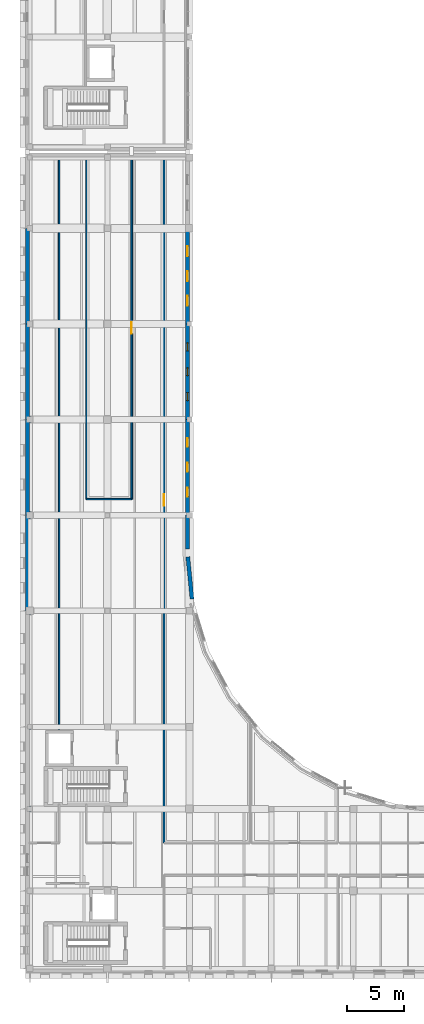
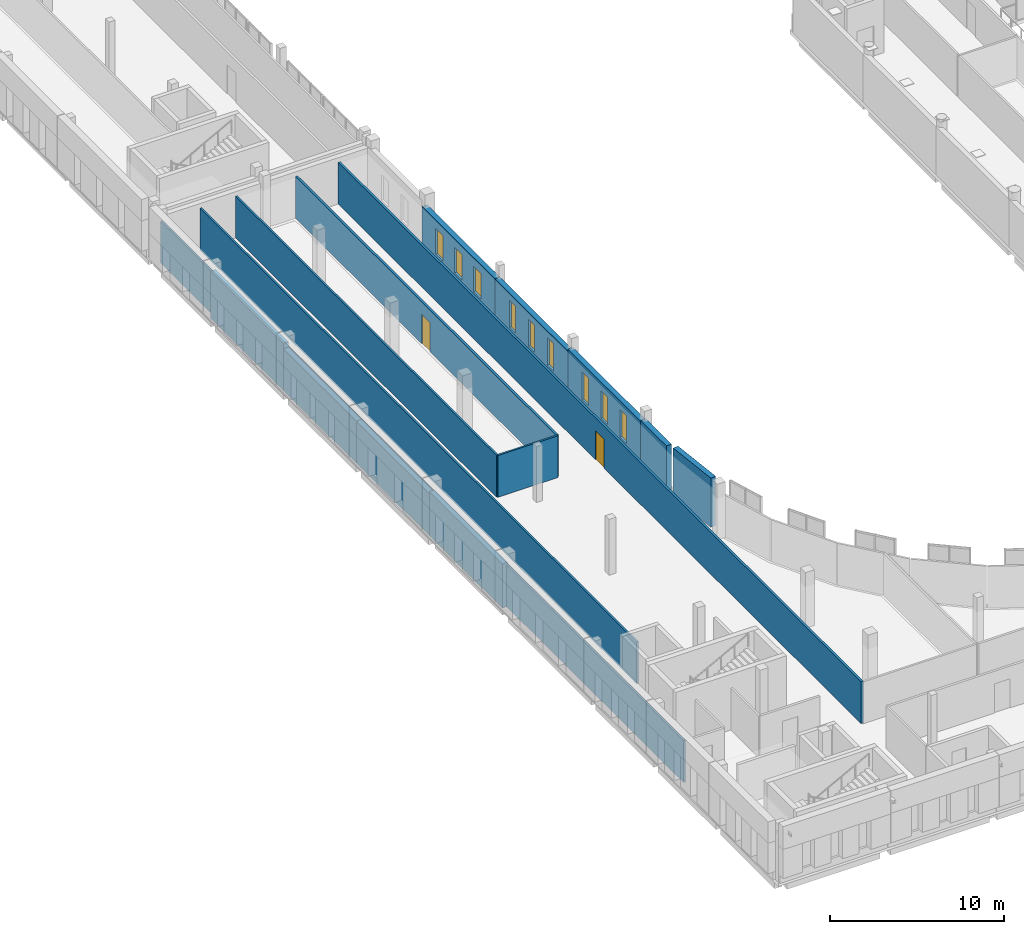
# One storey, part 52 of 76: 15 walls, 9 windows, 2 doors, 11 openings.
"""IFC4 building model written with IfcOpenShell, lengths in metres."""

from ifc_helpers import new_model, si_unit, direction, frame, frame_2d, origin, place, context, subcontext, project, spatial, rectangle, extrude, material, layer, layer_set, type_object, element, fill, save


model = new_model("IFC4")

# Units and contexts
model_context = context("Model", 3, precision=1e-05, world=origin(), true_north=direction((0.0, 1.0)))
body_context = subcontext(model_context, "Body", "Model", "MODEL_VIEW")
ifc_project = project(units=[si_unit("LENGTHUNIT", "METRE"), si_unit("AREAUNIT", "SQUARE_METRE"), si_unit("VOLUMEUNIT", "CUBIC_METRE"), si_unit("PLANEANGLEUNIT", "RADIAN"), si_unit("MASSUNIT", "GRAM", prefix="KILO")], contexts=[model_context])

# Site, building, storey
site_placement = place(None, origin())
site = spatial("IfcSite", under=ifc_project, at=site_placement, CompositionType="ELEMENT")
building_placement = place(site_placement, origin())
building = spatial("IfcBuilding", under=site, at=building_placement, Name="Vardoun Plaza Health Centre", CompositionType="ELEMENT")
storey_placement = place(building_placement, frame((0.0, 0.0, 4.5)))
storey = spatial("IfcBuildingStorey", under=building, at=storey_placement, Name="L01", CompositionType="ELEMENT", Elevation=4.5)

# Wall, openings, windows
ifc_material_1 = material(Name="Pale Limestone Concrete C35/45", Category="masonry")
ifc_layer_1 = layer(ifc_material_1, 0.344970703125)
ifc_layer_set_1 = layer_set([ifc_layer_1], Name="Pale Limestone Concrete C35/45")
wall_type_1 = type_object("IfcWallType", Name="EW-01", PredefinedType="SOLIDWALL", material=ifc_layer_set_1)
wall_1_placement = place(storey_placement, frame((18.7275390625, 69.89990234375, 0.0), z_axis=(0.0, 0.0, 1.0), x_axis=(0.0, -1.0, 0.0)))
wall_1 = element("IfcWall", 1, at=wall_1_placement, inside=storey, type_object=wall_type_1, Name="V2 L01 Exterior Wall EW-V2-102", PredefinedType="SOLIDWALL", context=body_context, shape_type="SweptSolid", body=[
    extrude(rectangle(XDim=8.39990234375, YDim=0.344970703125, at=frame_2d((4.199951171875, 0.0))), origin(), (0.0, 0.0, 1.0), 2.955078125),
])
opening_1_placement = place(wall_1_placement, frame((1.575927734375, 0.0, 0.550048828125)))
opening_1 = element("IfcOpeningElement", 2, at=opening_1_placement, cuts=wall_1, Name="Opening W-28-001", PredefinedType="OPENING", context=body_context, shape_type="SweptSolid", body=[
    extrude(rectangle(XDim=0.8798828125, YDim=1.800048828125, at=frame_2d((0.43994140625, 0.89990234375))), frame((0.0, 0.17236328125, 0.0), z_axis=(0.0, -1.0, 0.0), x_axis=(1.0, 0.0, 0.0)), (0.0, 0.0, 1.0), 0.344970703125),
])
opening_2_placement = place(wall_1_placement, frame((3.760009765625, 0.0, 0.550048828125)))
opening_2 = element("IfcOpeningElement", 3, at=opening_2_placement, cuts=wall_1, Name="Opening W-28-002", PredefinedType="OPENING", context=body_context, shape_type="SweptSolid", body=[
    extrude(rectangle(XDim=0.8798828125, YDim=1.800048828125, at=frame_2d((0.43994140625, 0.89990234375))), frame((0.0, 0.17236328125, 0.0), z_axis=(0.0, -1.0, 0.0), x_axis=(1.0, 0.0, 0.0)), (0.0, 0.0, 1.0), 0.344970703125),
])
opening_3_placement = place(wall_1_placement, frame((5.944091796875, 0.0, 0.550048828125)))
opening_3 = element("IfcOpeningElement", 4, at=opening_3_placement, cuts=wall_1, Name="Opening W-28-003", PredefinedType="OPENING", context=body_context, shape_type="SweptSolid", body=[
    extrude(rectangle(XDim=0.8798828125, YDim=1.800048828125, at=frame_2d((0.43994140625, 0.89990234375))), frame((0.0, 0.17236328125, 0.0), z_axis=(0.0, -1.0, 0.0), x_axis=(1.0, 0.0, 0.0)), (0.0, 0.0, 1.0), 0.344970703125),
])
ifc_material_2 = material(Name="Aluminium Alloy EN AW-6063-T6 and Low-E Glass", Category="aluminium")
window_type_1 = type_object("IfcWindowType", Name="W-28", PartitioningType="SINGLE_PANEL", PredefinedType="WINDOW", material=ifc_material_2)
window_1_placement = place(opening_1_placement, origin())
window_1 = element("IfcWindow", 5, at=window_1_placement, inside=storey, type_object=window_type_1, Name="V2 L01 Deep-Punched Slot Window W-28-054", OverallHeight=1.800048828125, OverallWidth=0.8798828125, PartitioningType="SINGLE_PANEL", PredefinedType="WINDOW", context=body_context, shape_type="SweptSolid", body=[
    extrude(rectangle(XDim=0.8798828125, YDim=1.800048828125, at=frame_2d((0.43994140625, 0.89990234375))), frame((0.0, 0.030029296875, 0.0), z_axis=(0.0, -1.0, 0.0), x_axis=(1.0, 0.0, 0.0)), (0.0, 0.0, 1.0), 0.06005859375),
])
fill(opening_1, window_1)
window_2_placement = place(opening_2_placement, origin())
window_2 = element("IfcWindow", 6, at=window_2_placement, inside=storey, type_object=window_type_1, Name="V2 L01 Deep-Punched Slot Window W-28-055", OverallHeight=1.800048828125, OverallWidth=0.8798828125, PartitioningType="SINGLE_PANEL", PredefinedType="WINDOW", context=body_context, shape_type="SweptSolid", body=[
    extrude(rectangle(XDim=0.8798828125, YDim=1.800048828125, at=frame_2d((0.43994140625, 0.89990234375))), frame((0.0, 0.030029296875, 0.0), z_axis=(0.0, -1.0, 0.0), x_axis=(1.0, 0.0, 0.0)), (0.0, 0.0, 1.0), 0.06005859375),
])
fill(opening_2, window_2)
window_3_placement = place(opening_3_placement, origin())
window_3 = element("IfcWindow", 7, at=window_3_placement, inside=storey, type_object=window_type_1, Name="V2 L01 Deep-Punched Slot Window W-28-056", OverallHeight=1.800048828125, OverallWidth=0.8798828125, PartitioningType="SINGLE_PANEL", PredefinedType="WINDOW", context=body_context, shape_type="SweptSolid", body=[
    extrude(rectangle(XDim=0.8798828125, YDim=1.800048828125, at=frame_2d((0.43994140625, 0.89990234375))), frame((0.0, 0.030029296875, 0.0), z_axis=(0.0, -1.0, 0.0), x_axis=(1.0, 0.0, 0.0)), (0.0, 0.0, 1.0), 0.06005859375),
])
fill(opening_3, window_3)

wall_2_placement = place(storey_placement, frame((18.7275390625, 61.5, 0.0), z_axis=(0.0, 0.0, 1.0), x_axis=(0.0, -1.0, 0.0)))
wall_2 = element("IfcWall", 8, at=wall_2_placement, inside=storey, type_object=wall_type_1, Name="V2 L01 Exterior Wall EW-V2-103", PredefinedType="SOLIDWALL", context=body_context, shape_type="SweptSolid", body=[
    extrude(rectangle(XDim=8.39990234375, YDim=0.344970703125, at=frame_2d((4.199951171875, 0.0))), origin(), (0.0, 0.0, 1.0), 2.955078125),
])
opening_4_placement = place(wall_2_placement, frame((1.666015625, 0.0, 0.550048828125)))
opening_4 = element("IfcOpeningElement", 9, at=opening_4_placement, cuts=wall_2, Name="Opening W-29-004", PredefinedType="OPENING", context=body_context, shape_type="SweptSolid", body=[
    extrude(rectangle(XDim=0.699951171875, YDim=1.919921875, at=frame_2d((0.35009765625, 0.9599609375))), frame((0.0, 0.17236328125, 0.0), z_axis=(0.0, -1.0, 0.0), x_axis=(1.0, 0.0, 0.0)), (0.0, 0.0, 1.0), 0.344970703125),
])
opening_5_placement = place(wall_2_placement, frame((3.85009765625, 0.0, 0.550048828125)))
opening_5 = element("IfcOpeningElement", 10, at=opening_5_placement, cuts=wall_2, Name="Opening W-29-005", PredefinedType="OPENING", context=body_context, shape_type="SweptSolid", body=[
    extrude(rectangle(XDim=0.699951171875, YDim=1.919921875, at=frame_2d((0.35009765625, 0.9599609375))), frame((0.0, 0.17236328125, 0.0), z_axis=(0.0, -1.0, 0.0), x_axis=(1.0, 0.0, 0.0)), (0.0, 0.0, 1.0), 0.344970703125),
])
opening_6_placement = place(wall_2_placement, frame((6.033935546875, 0.0, 0.550048828125)))
opening_6 = element("IfcOpeningElement", 11, at=opening_6_placement, cuts=wall_2, Name="Opening W-29-006", PredefinedType="OPENING", context=body_context, shape_type="SweptSolid", body=[
    extrude(rectangle(XDim=0.699951171875, YDim=1.919921875, at=frame_2d((0.35009765625, 0.9599609375))), frame((0.0, 0.17236328125, 0.0), z_axis=(0.0, -1.0, 0.0), x_axis=(1.0, 0.0, 0.0)), (0.0, 0.0, 1.0), 0.344970703125),
])
ifc_material_3 = material(Name="Aluminium Alloy EN AW-6063-T6 and Low-E Glass", Category="aluminium")
window_type_2 = type_object("IfcWindowType", Name="W-29", PartitioningType="SINGLE_PANEL", PredefinedType="WINDOW", material=ifc_material_3)
window_4_placement = place(opening_4_placement, origin())
window_4 = element("IfcWindow", 12, at=window_4_placement, inside=storey, type_object=window_type_2, Name="V2 L01 Deep-Punched Slot Window W-29-057", OverallHeight=1.919921875, OverallWidth=0.699951171875, PartitioningType="SINGLE_PANEL", PredefinedType="WINDOW", context=body_context, shape_type="SweptSolid", body=[
    extrude(rectangle(XDim=0.699951171875, YDim=1.919921875, at=frame_2d((0.35009765625, 0.9599609375))), frame((0.0, 0.030029296875, 0.0), z_axis=(0.0, -1.0, 0.0), x_axis=(1.0, 0.0, 0.0)), (0.0, 0.0, 1.0), 0.06005859375),
])
fill(opening_4, window_4)
window_5_placement = place(opening_5_placement, origin())
window_5 = element("IfcWindow", 13, at=window_5_placement, inside=storey, type_object=window_type_2, Name="V2 L01 Deep-Punched Slot Window W-29-058", OverallHeight=1.919921875, OverallWidth=0.699951171875, PartitioningType="SINGLE_PANEL", PredefinedType="WINDOW", context=body_context, shape_type="SweptSolid", body=[
    extrude(rectangle(XDim=0.699951171875, YDim=1.919921875, at=frame_2d((0.35009765625, 0.9599609375))), frame((0.0, 0.030029296875, 0.0), z_axis=(0.0, -1.0, 0.0), x_axis=(1.0, 0.0, 0.0)), (0.0, 0.0, 1.0), 0.06005859375),
])
fill(opening_5, window_5)
window_6_placement = place(opening_6_placement, origin())
window_6 = element("IfcWindow", 14, at=window_6_placement, inside=storey, type_object=window_type_2, Name="V2 L01 Deep-Punched Slot Window W-29-059", OverallHeight=1.919921875, OverallWidth=0.699951171875, PartitioningType="SINGLE_PANEL", PredefinedType="WINDOW", context=body_context, shape_type="SweptSolid", body=[
    extrude(rectangle(XDim=0.699951171875, YDim=1.919921875, at=frame_2d((0.35009765625, 0.9599609375))), frame((0.0, 0.030029296875, 0.0), z_axis=(0.0, -1.0, 0.0), x_axis=(1.0, 0.0, 0.0)), (0.0, 0.0, 1.0), 0.06005859375),
])
fill(opening_6, window_6)

wall_3_placement = place(storey_placement, frame((18.7275390625, 53.10009765625, 0.0), z_axis=(0.0, 0.0, 1.0), x_axis=(0.0, -1.0, 0.0)))
wall_3 = element("IfcWall", 15, at=wall_3_placement, inside=storey, type_object=wall_type_1, Name="V2 L01 Exterior Wall EW-V2-104", PredefinedType="SOLIDWALL", context=body_context, shape_type="SweptSolid", body=[
    extrude(rectangle(XDim=8.400146484375, YDim=0.344970703125, at=frame_2d((4.2001953125, 0.0))), origin(), (0.0, 0.0, 1.0), 3.10498046875),
])
opening_7_placement = place(wall_3_placement, frame((1.6259765625, 0.0, 0.550048828125)))
opening_7 = element("IfcOpeningElement", 16, at=opening_7_placement, cuts=wall_3, Name="Opening W-30-004", PredefinedType="OPENING", context=body_context, shape_type="SweptSolid", body=[
    extrude(rectangle(XDim=0.780029296875, YDim=1.949951171875, at=frame_2d((0.39013671875, 0.97509765625))), frame((0.0, 0.17236328125, 0.0), z_axis=(0.0, -1.0, 0.0), x_axis=(1.0, 0.0, 0.0)), (0.0, 0.0, 1.0), 0.344970703125),
])
opening_8_placement = place(wall_3_placement, frame((3.81005859375, 0.0, 0.550048828125)))
opening_8 = element("IfcOpeningElement", 17, at=opening_8_placement, cuts=wall_3, Name="Opening W-30-005", PredefinedType="OPENING", context=body_context, shape_type="SweptSolid", body=[
    extrude(rectangle(XDim=0.780029296875, YDim=1.949951171875, at=frame_2d((0.39013671875, 0.97509765625))), frame((0.0, 0.17236328125, 0.0), z_axis=(0.0, -1.0, 0.0), x_axis=(1.0, 0.0, 0.0)), (0.0, 0.0, 1.0), 0.344970703125),
])
opening_9_placement = place(wall_3_placement, frame((5.993896484375, 0.0, 0.550048828125)))
opening_9 = element("IfcOpeningElement", 18, at=opening_9_placement, cuts=wall_3, Name="Opening W-30-006", PredefinedType="OPENING", context=body_context, shape_type="SweptSolid", body=[
    extrude(rectangle(XDim=0.780029296875, YDim=1.949951171875, at=frame_2d((0.39013671875, 0.97509765625))), frame((0.0, 0.17236328125, 0.0), z_axis=(0.0, -1.0, 0.0), x_axis=(1.0, 0.0, 0.0)), (0.0, 0.0, 1.0), 0.344970703125),
])
ifc_material_4 = material(Name="Aluminium Alloy EN AW-6063-T6 and Low-E Glass", Category="aluminium")
window_type_3 = type_object("IfcWindowType", Name="W-30", PartitioningType="SINGLE_PANEL", PredefinedType="WINDOW", material=ifc_material_4)
window_7_placement = place(opening_7_placement, origin())
window_7 = element("IfcWindow", 19, at=window_7_placement, inside=storey, type_object=window_type_3, Name="V2 L01 Deep-Punched Slot Window W-30-060", OverallHeight=1.949951171875, OverallWidth=0.780029296875, PartitioningType="SINGLE_PANEL", PredefinedType="WINDOW", context=body_context, shape_type="SweptSolid", body=[
    extrude(rectangle(XDim=0.780029296875, YDim=1.949951171875, at=frame_2d((0.39013671875, 0.97509765625))), frame((0.0, 0.030029296875, 0.0), z_axis=(0.0, -1.0, 0.0), x_axis=(1.0, 0.0, 0.0)), (0.0, 0.0, 1.0), 0.06005859375),
])
fill(opening_7, window_7)
window_8_placement = place(opening_8_placement, origin())
window_8 = element("IfcWindow", 20, at=window_8_placement, inside=storey, type_object=window_type_3, Name="V2 L01 Deep-Punched Slot Window W-30-061", OverallHeight=1.949951171875, OverallWidth=0.780029296875, PartitioningType="SINGLE_PANEL", PredefinedType="WINDOW", context=body_context, shape_type="SweptSolid", body=[
    extrude(rectangle(XDim=0.780029296875, YDim=1.949951171875, at=frame_2d((0.39013671875, 0.97509765625))), frame((0.0, 0.030029296875, 0.0), z_axis=(0.0, -1.0, 0.0), x_axis=(1.0, 0.0, 0.0)), (0.0, 0.0, 1.0), 0.06005859375),
])
fill(opening_8, window_8)
window_9_placement = place(opening_9_placement, origin())
window_9 = element("IfcWindow", 21, at=window_9_placement, inside=storey, type_object=window_type_3, Name="V2 L01 Deep-Punched Slot Window W-30-062", OverallHeight=1.949951171875, OverallWidth=0.780029296875, PartitioningType="SINGLE_PANEL", PredefinedType="WINDOW", context=body_context, shape_type="SweptSolid", body=[
    extrude(rectangle(XDim=0.780029296875, YDim=1.949951171875, at=frame_2d((0.39013671875, 0.97509765625))), frame((0.0, 0.030029296875, 0.0), z_axis=(0.0, -1.0, 0.0), x_axis=(1.0, 0.0, 0.0)), (0.0, 0.0, 1.0), 0.06005859375),
])
fill(opening_9, window_9)

# Walls
wall_4_placement = place(storey_placement, frame((18.7275390625, 44.699951171875, 0.0), z_axis=(0.0, 0.0, 1.0), x_axis=(0.0, -1.0, 0.0)))
element("IfcWall", 22, at=wall_4_placement, inside=storey, type_object=wall_type_1, Name="V2 L01 Exterior Wall EW-V2-105", PredefinedType="SOLIDWALL", context=body_context, shape_type="SweptSolid", body=[
    extrude(rectangle(XDim=2.954833984375, YDim=0.344970703125, at=frame_2d((1.4775390625, 0.0))), origin(), (0.0, 0.0, 1.0), 3.18505859375),
])
wall_5_placement = place(storey_placement, frame((18.76220703125, 41.039794921875, 0.0), z_axis=(0.0, 0.0, 1.0), x_axis=(0.097963909948, -0.99518996797, 0.0)))
element("IfcWall", 23, at=wall_5_placement, inside=storey, type_object=wall_type_1, Name="V2 L01 Exterior Wall EW-V2-106", PredefinedType="SOLIDWALL", context=body_context, shape_type="SweptSolid", body=[
    extrude(rectangle(XDim=3.720703125, YDim=0.344970703125, at=frame_2d((1.8603515625, 0.0))), origin(), (0.0, 0.0, 1.0), 3.455078125),
])
wall_6_placement = place(storey_placement, frame((4.672607421875, 36.300048828125, 0.0), z_axis=(0.0, 0.0, 1.0), x_axis=(0.0, 1.0, 0.0)))
element("IfcWall", 24, at=wall_6_placement, inside=storey, type_object=wall_type_1, Name="V2 L01 Exterior Wall EW-V2-121", PredefinedType="SOLIDWALL", context=body_context, shape_type="SweptSolid", body=[
    extrude(rectangle(XDim=8.39990234375, YDim=0.344970703125, at=frame_2d((4.199951171875, 0.0))), origin(), (0.0, 0.0, 1.0), 3.10498046875),
])
wall_7_placement = place(storey_placement, frame((4.672607421875, 44.699951171875, 0.0), z_axis=(0.0, 0.0, 1.0), x_axis=(0.0, 1.0, 0.0)))
element("IfcWall", 25, at=wall_7_placement, inside=storey, type_object=wall_type_1, Name="V2 L01 Exterior Wall EW-V2-122", PredefinedType="SOLIDWALL", context=body_context, shape_type="SweptSolid", body=[
    extrude(rectangle(XDim=8.400146484375, YDim=0.344970703125, at=frame_2d((4.2001953125, 0.0))), origin(), (0.0, 0.0, 1.0), 2.955078125),
])
wall_8_placement = place(storey_placement, frame((4.672607421875, 53.10009765625, 0.0), z_axis=(0.0, 0.0, 1.0), x_axis=(0.0, 1.0, 0.0)))
element("IfcWall", 26, at=wall_8_placement, inside=storey, type_object=wall_type_1, Name="V2 L01 Exterior Wall EW-V2-123", PredefinedType="SOLIDWALL", context=body_context, shape_type="SweptSolid", body=[
    extrude(rectangle(XDim=8.39990234375, YDim=0.344970703125, at=frame_2d((4.199951171875, 0.0))), origin(), (0.0, 0.0, 1.0), 2.955078125),
])
wall_9_placement = place(storey_placement, frame((4.672607421875, 61.5, 0.0), z_axis=(0.0, 0.0, 1.0), x_axis=(0.0, 1.0, 0.0)))
element("IfcWall", 27, at=wall_9_placement, inside=storey, type_object=wall_type_1, Name="V2 L01 Exterior Wall EW-V2-124", PredefinedType="SOLIDWALL", context=body_context, shape_type="SweptSolid", body=[
    extrude(rectangle(XDim=8.39990234375, YDim=0.344970703125, at=frame_2d((4.199951171875, 0.0))), origin(), (0.0, 0.0, 1.0), 3.324951171875),
])

# Wall, opening, door
ifc_material_5 = material(Name="Acoustic Gypsum Twin-Stud", Category="steel")
ifc_layer_2 = layer(ifc_material_5, 0.14990234375)
ifc_layer_set_2 = layer_set([ifc_layer_2], Name="Acoustic Gypsum Twin-Stud")
wall_type_2 = type_object("IfcWallType", Name="IW-04", PredefinedType="PARTITIONING", material=ifc_layer_set_2)
wall_10_placement = place(storey_placement, frame((16.669921875, 15.919921875, 0.0), z_axis=(0.0, 0.0, 1.0), x_axis=(0.0, 1.0, 0.0)))
wall_10 = element("IfcWall", 28, at=wall_10_placement, inside=storey, type_object=wall_type_2, Name="GP Consulting Room 11 Partition Wall", PredefinedType="PARTITIONING", context=body_context, shape_type="SweptSolid", body=[
    extrude(rectangle(XDim=60.22998046875, YDim=0.14990234375, at=frame_2d((30.114990234375, 0.0))), origin(), (0.0, 0.0, 1.0), 2.93994140625),
])
opening_10_placement = place(wall_10_placement, frame((29.614990234375, 0.0, 0.0)))
opening_10 = element("IfcOpeningElement", 29, at=opening_10_placement, cuts=wall_10, Name="Opening D-L01-036", PredefinedType="OPENING", context=body_context, shape_type="SweptSolid", body=[
    extrude(rectangle(XDim=1.0, YDim=2.050048828125, at=frame_2d((0.5, 1.02490234375))), frame((0.0, 0.074951171875, 0.0), z_axis=(0.0, -1.0, 0.0), x_axis=(1.0, 0.0, 0.0)), (0.0, 0.0, 1.0), 0.14990234375),
])
ifc_material_6 = material(Name="Antimicrobial Acoustic Timber and Steel S275JR", Category="steel")
door_type = type_object("IfcDoorType", Name="CD-03", OperationType="NOTDEFINED", PredefinedType="DOOR", material=ifc_material_6)
door_1_placement = place(opening_10_placement, origin())
door_1 = element("IfcDoor", 30, at=door_1_placement, inside=storey, type_object=door_type, Name="GP Consulting Room 11 Door D-L01-036", OperationType="SINGLE_SWING_RIGHT", OverallHeight=2.050048828125, OverallWidth=1.0, PredefinedType="DOOR", context=body_context, shape_type="SweptSolid", body=[
    extrude(rectangle(XDim=1.0, YDim=2.050048828125, at=frame_2d((0.5, 1.02490234375))), frame((0.0, 0.02490234375, 0.0), z_axis=(0.0, -1.0, 0.0), x_axis=(1.0, 0.0, 0.0)), (0.0, 0.0, 1.0), 0.050048828125),
])
fill(opening_10, door_1)

wall_11_placement = place(storey_placement, frame((13.830078125, 76.14990234375, 0.0), z_axis=(0.0, 0.0, 1.0), x_axis=(0.0, -1.0, 0.0)))
wall_11 = element("IfcWall", 31, at=wall_11_placement, inside=storey, type_object=wall_type_2, Name="GP Consulting Room 13 Partition Wall", PredefinedType="PARTITIONING", context=body_context, shape_type="SweptSolid", body=[
    extrude(rectangle(XDim=30.034912109375, YDim=0.14990234375, at=frame_2d((15.017578125, 0.0))), origin(), (0.0, 0.0, 1.0), 2.93994140625),
])
opening_11_placement = place(wall_11_placement, frame((14.517578125, 0.0, 0.0)))
opening_11 = element("IfcOpeningElement", 32, at=opening_11_placement, cuts=wall_11, Name="Opening D-L01-038", PredefinedType="OPENING", context=body_context, shape_type="SweptSolid", body=[
    extrude(rectangle(XDim=1.0, YDim=2.050048828125, at=frame_2d((0.5, 1.02490234375))), frame((0.0, 0.074951171875, 0.0), z_axis=(0.0, -1.0, 0.0), x_axis=(1.0, 0.0, 0.0)), (0.0, 0.0, 1.0), 0.14990234375),
])
door_2_placement = place(opening_11_placement, origin())
door_2 = element("IfcDoor", 33, at=door_2_placement, inside=storey, type_object=door_type, Name="GP Consulting Room 13 Door D-L01-038", OperationType="SINGLE_SWING_RIGHT", OverallHeight=2.050048828125, OverallWidth=1.0, PredefinedType="DOOR", context=body_context, shape_type="SweptSolid", body=[
    extrude(rectangle(XDim=1.0, YDim=2.050048828125, at=frame_2d((0.5, 1.02490234375))), frame((0.0, 0.02490234375, 0.0), z_axis=(0.0, -1.0, 0.0), x_axis=(1.0, 0.0, 0.0)), (0.0, 0.0, 1.0), 0.050048828125),
])
fill(opening_11, door_2)

# Walls
ifc_material_7 = material(Name="Standard Clinical Sub-Partition", Category="steel")
ifc_layer_3 = layer(ifc_material_7, 0.125)
ifc_layer_set_3 = layer_set([ifc_layer_3], Name="Standard Clinical Sub-Partition")
wall_type_3 = type_object("IfcWallType", Name="IW-11", PredefinedType="PARTITIONING", material=ifc_layer_set_3)
wall_12_placement = place(storey_placement, frame((7.4599609375, 76.14990234375, 0.0), z_axis=(0.0, 0.0, 1.0), x_axis=(0.0, -1.0, 0.0)))
element("IfcWall", 34, at=wall_12_placement, inside=storey, type_object=wall_type_3, Name="GP Consulting Room 12 Enclosure Partition", PredefinedType="PARTITIONING", context=body_context, shape_type="SweptSolid", body=[
    extrude(rectangle(XDim=50.2998046875, YDim=0.125, at=frame_2d((25.14990234375, 0.0))), origin(), (0.0, 0.0, 1.0), 2.93994140625),
])
wall_13_placement = place(storey_placement, frame((4.85009765625, 15.919921875, 0.0), z_axis=(0.0, 0.0, 1.0), x_axis=(0.0, 1.0, 0.0)))
element("IfcWall", 35, at=wall_13_placement, inside=storey, type_object=wall_type_3, Name="GP Consulting Room 12 Enclosure Partition", PredefinedType="PARTITIONING", context=body_context, shape_type="SweptSolid", body=[
    extrude(rectangle(XDim=60.22998046875, YDim=0.125, at=frame_2d((30.114990234375, 0.0))), origin(), (0.0, 0.0, 1.0), 2.93994140625),
])
wall_14_placement = place(storey_placement, frame((13.830078125, 46.114990234375, 0.0), z_axis=(0.0, 0.0, 1.0), x_axis=(-1.0, 0.0, 0.0)))
element("IfcWall", 36, at=wall_14_placement, inside=storey, type_object=wall_type_3, Name="GP Consulting Room 13 Enclosure Partition", PredefinedType="PARTITIONING", context=body_context, shape_type="SweptSolid", body=[
    extrude(rectangle(XDim=3.989990234375, YDim=0.125, at=frame_2d((1.9951171875, 0.0))), origin(), (0.0, 0.0, 1.0), 2.93994140625),
])
wall_15_placement = place(storey_placement, frame((9.840087890625, 46.114990234375, 0.0), z_axis=(0.0, 0.0, 1.0), x_axis=(0.0, 1.0, 0.0)))
element("IfcWall", 37, at=wall_15_placement, inside=storey, type_object=wall_type_3, Name="GP Consulting Room 13 Enclosure Partition", PredefinedType="PARTITIONING", context=body_context, shape_type="SweptSolid", body=[
    extrude(rectangle(XDim=30.034912109375, YDim=0.125, at=frame_2d((15.017578125, 0.0))), origin(), (0.0, 0.0, 1.0), 2.93994140625),
])

save(model, "model.ifc")
